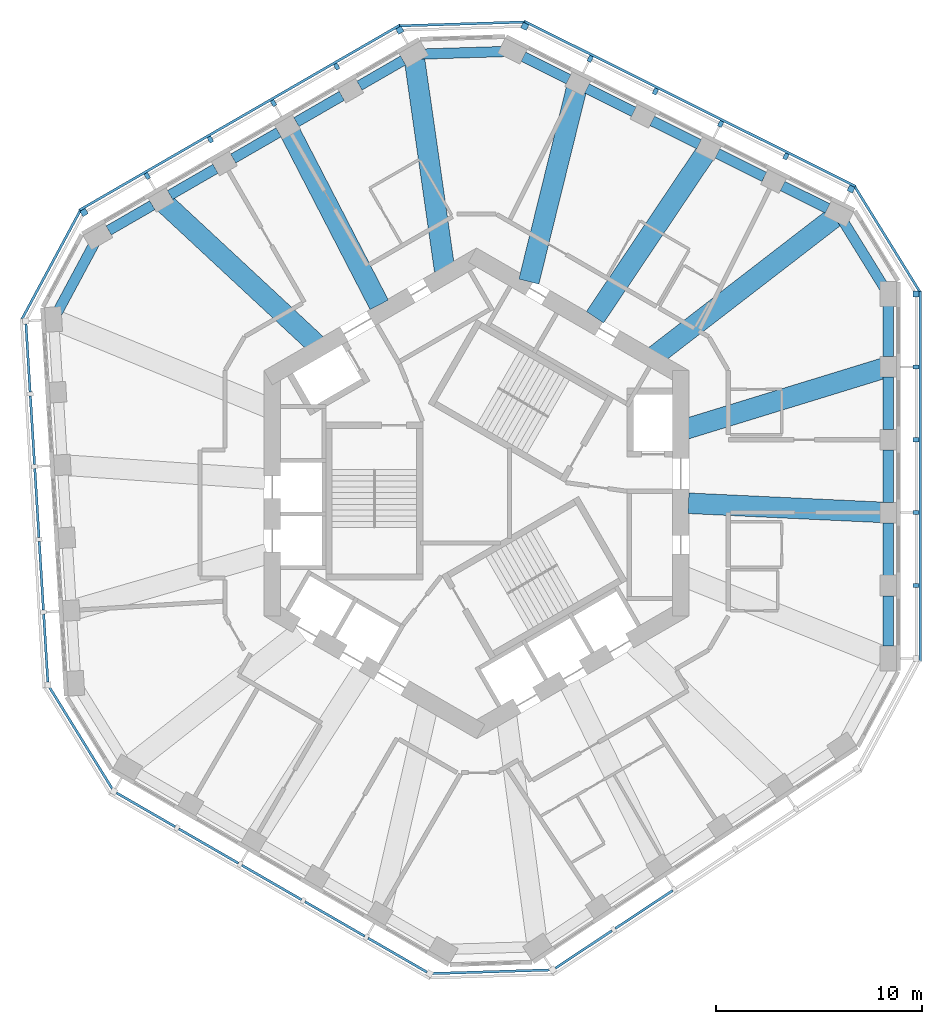
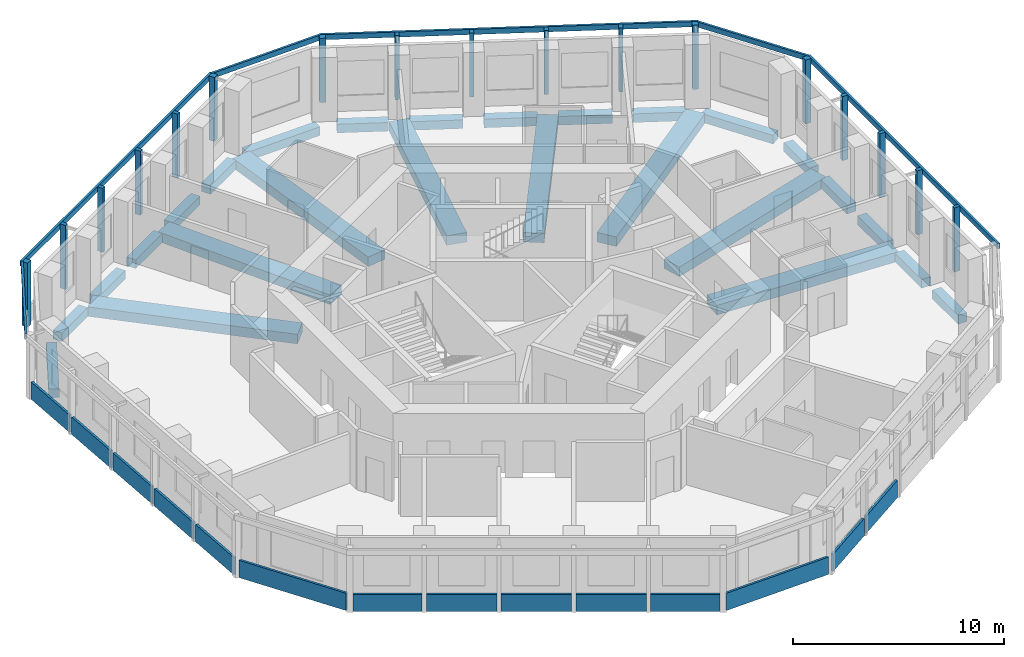
# One storey, part 2 of 11: 26 beams, 23 members, 14 plates, 11 elements without a shape of their own.
"""IFC4 building model written with IfcOpenShell, lengths in metres."""

from ifc_helpers import new_model, si_unit, direction, frame, origin, origin_2d, place, context, subcontext, project, spatial, rectangle, extrude, material, layer, layer_set, material_profile, profile_set, type_object, element, aggregate, save


model = new_model("IFC4")

# Units and contexts
model_context = context("Model", 3, precision=1e-05, world=origin(), true_north=direction((0.0, 1.0)))
body_context = subcontext(model_context, "Body", "Model", "MODEL_VIEW")
ifc_project = project(units=[si_unit("LENGTHUNIT", "METRE"), si_unit("AREAUNIT", "SQUARE_METRE"), si_unit("VOLUMEUNIT", "CUBIC_METRE"), si_unit("PLANEANGLEUNIT", "RADIAN"), si_unit("MASSUNIT", "GRAM", prefix="KILO")], contexts=[model_context])

# Site, building, storey
site_placement = place(None, origin())
site = spatial("IfcSite", under=ifc_project, at=site_placement, CompositionType="ELEMENT")
building_placement = place(site_placement, origin())
building = spatial("IfcBuilding", under=site, at=building_placement, Name="Vanh Sen Convention Tower", CompositionType="ELEMENT")
storey_placement = place(building_placement, frame((0.0, 0.0, 221.699951171875)))
storey = spatial("IfcBuildingStorey", under=building, at=storey_placement, Name="L54", CompositionType="ELEMENT", Elevation=221.699951171875)

# Curtain wall, member
ifc_material_1 = material(Name="Concrete C50/60", Category="concrete")
curtain_wall_type = type_object("IfcCurtainWallType", Name="Outer skin office zone", PredefinedType="NOTDEFINED", material=ifc_material_1)
curtain_wall_1_placement = place(storey_placement, origin())
curtain_wall_1 = element("IfcCurtainWall", 1, at=curtain_wall_1_placement, inside=storey, type_object=curtain_wall_type, Name="OUTER SKIN E L54", PredefinedType="NOTDEFINED")
ifc_material_profile_1 = material_profile(ifc_material_1, rectangle(XDim=0.300048828125, YDim=0.300048828125, at=origin_2d()), Name="Outer skin precast corner fin 300 x 300")
ifc_profile_set_1 = profile_set([ifc_material_profile_1], Name="Concrete C50/60")
member_type_1 = type_object("IfcMemberType", Name="Outer skin precast corner fin 300 x 300", PredefinedType="MULLION", material=ifc_profile_set_1)
member_1_placement = place(storey_placement, frame((21.300048828125, 9.665283203125, 0.0), z_axis=(0.0, 0.0, 1.0), x_axis=(0.0, 1.0, 0.0)))
member_1 = element("IfcMember", 2, at=member_1_placement, type_object=member_type_1, Name="OUTER SKIN CORNER FIN 6 E L54", PredefinedType="MULLION", context=body_context, shape_type="SweptSolid", body=[
    extrude(rectangle(XDim=0.300048828125, YDim=0.300048828125, at=origin_2d()), origin(), (0.0, 0.0, 1.0), 3.699951171875),
])

# Curtain wall, members
curtain_wall_2_placement = place(storey_placement, origin())
curtain_wall_2 = element("IfcCurtainWall", 3, at=curtain_wall_2_placement, inside=storey, type_object=curtain_wall_type, Name="OUTER SKIN NE L54", PredefinedType="NOTDEFINED")
member_2_placement = place(storey_placement, frame((18.15380859375, 14.74951171875, 0.0), z_axis=(0.0, 0.0, 1.0), x_axis=(-0.894934361602, 0.44619781311, 0.0)))
member_2 = element("IfcMember", 4, at=member_2_placement, type_object=member_type_1, Name="OUTER SKIN CORNER FIN 1 NE L54", PredefinedType="MULLION", context=body_context, shape_type="SweptSolid", body=[
    extrude(rectangle(XDim=0.300048828125, YDim=0.300048828125, at=origin_2d()), origin(), (0.0, 0.0, 1.0), 3.699951171875),
])
member_3_placement = place(storey_placement, frame((2.342041015625, 22.633056640625, 0.0), z_axis=(0.0, 0.0, 1.0), x_axis=(-0.894934361602, 0.44619781311, 0.0)))
member_3 = element("IfcMember", 5, at=member_3_placement, type_object=member_type_1, Name="OUTER SKIN CORNER FIN 6 NE L54", PredefinedType="MULLION", context=body_context, shape_type="SweptSolid", body=[
    extrude(rectangle(XDim=0.300048828125, YDim=0.300048828125, at=origin_2d()), origin(), (0.0, 0.0, 1.0), 3.699951171875),
])

curtain_wall_3_placement = place(storey_placement, origin())
curtain_wall_3 = element("IfcCurtainWall", 6, at=curtain_wall_3_placement, inside=storey, type_object=curtain_wall_type, Name="OUTER SKIN NW L54", PredefinedType="NOTDEFINED")
member_4_placement = place(storey_placement, frame((-3.719482421875, 22.44775390625, 0.0), z_axis=(0.0, 0.0, 1.0), x_axis=(-0.866025403784, -0.5, 0.0)))
member_4 = element("IfcMember", 7, at=member_4_placement, type_object=member_type_1, Name="OUTER SKIN CORNER FIN 1 NW L54", PredefinedType="MULLION", context=body_context, shape_type="SweptSolid", body=[
    extrude(rectangle(XDim=0.300048828125, YDim=0.300048828125, at=origin_2d()), origin(), (0.0, 0.0, 1.0), 3.699951171875),
])
member_5_placement = place(storey_placement, frame((-19.0205078125, 13.613525390625, 0.0), z_axis=(0.0, 0.0, 1.0), x_axis=(-0.866025403784, -0.5, 0.0)))
member_5 = element("IfcMember", 8, at=member_5_placement, type_object=member_type_1, Name="OUTER SKIN CORNER FIN 6 NW L54", PredefinedType="MULLION", context=body_context, shape_type="SweptSolid", body=[
    extrude(rectangle(XDim=0.300048828125, YDim=0.300048828125, at=origin_2d()), origin(), (0.0, 0.0, 1.0), 3.699951171875),
])

# Member
ifc_material_profile_2 = material_profile(ifc_material_1, rectangle(XDim=0.199951171875, YDim=0.300048828125, at=origin_2d()), Name="Outer skin precast fin 200 x 300")
ifc_profile_set_2 = profile_set([ifc_material_profile_2], Name="Concrete C50/60")
member_type_2 = type_object("IfcMemberType", Name="Outer skin precast fin 200 x 300", PredefinedType="MULLION", material=ifc_profile_set_2)
member_6_placement = place(storey_placement, frame((21.300048828125, -4.46923828125, 0.0), z_axis=(0.0, 0.0, 1.0), x_axis=(0.0, 1.0, 0.0)))
member_6 = element("IfcMember", 9, at=member_6_placement, type_object=member_type_2, Name="OUTER SKIN fin 2 E L54", PredefinedType="MULLION", context=body_context, shape_type="SweptSolid", body=[
    extrude(rectangle(XDim=0.199951171875, YDim=0.300048828125, at=origin_2d()), origin(), (0.0, 0.0, 1.0), 3.699951171875),
])

member_7_placement = place(storey_placement, frame((21.300048828125, -0.935546875, 0.0), z_axis=(0.0, 0.0, 1.0), x_axis=(0.0, 1.0, 0.0)))
member_7 = element("IfcMember", 10, at=member_7_placement, type_object=member_type_2, Name="OUTER SKIN fin 3 E L54", PredefinedType="MULLION", context=body_context, shape_type="SweptSolid", body=[
    extrude(rectangle(XDim=0.199951171875, YDim=0.300048828125, at=origin_2d()), origin(), (0.0, 0.0, 1.0), 3.699951171875),
])

member_8_placement = place(storey_placement, frame((21.300048828125, 2.59814453125, 0.0), z_axis=(0.0, 0.0, 1.0), x_axis=(0.0, 1.0, 0.0)))
member_8 = element("IfcMember", 11, at=member_8_placement, type_object=member_type_2, Name="OUTER SKIN fin 4 E L54", PredefinedType="MULLION", context=body_context, shape_type="SweptSolid", body=[
    extrude(rectangle(XDim=0.199951171875, YDim=0.300048828125, at=origin_2d()), origin(), (0.0, 0.0, 1.0), 3.699951171875),
])

member_9_placement = place(storey_placement, frame((21.300048828125, 6.131591796875, 0.0), z_axis=(0.0, 0.0, 1.0), x_axis=(0.0, 1.0, 0.0)))
member_9 = element("IfcMember", 12, at=member_9_placement, type_object=member_type_2, Name="OUTER SKIN fin 5 E L54", PredefinedType="MULLION", context=body_context, shape_type="SweptSolid", body=[
    extrude(rectangle(XDim=0.199951171875, YDim=0.300048828125, at=origin_2d()), origin(), (0.0, 0.0, 1.0), 3.699951171875),
])

member_10_placement = place(storey_placement, frame((14.99169921875, 16.326171875, 0.0), z_axis=(0.0, 0.0, 1.0), x_axis=(-0.894934361602, 0.44619781311, 0.0)))
member_10 = element("IfcMember", 13, at=member_10_placement, type_object=member_type_2, Name="OUTER SKIN fin 2 NE L54", PredefinedType="MULLION", context=body_context, shape_type="SweptSolid", body=[
    extrude(rectangle(XDim=0.199951171875, YDim=0.300048828125, at=origin_2d()), origin(), (0.0, 0.0, 1.0), 3.699951171875),
])

member_11_placement = place(storey_placement, frame((11.8291015625, 17.90283203125, 0.0), z_axis=(0.0, 0.0, 1.0), x_axis=(-0.894934361602, 0.44619781311, 0.0)))
member_11 = element("IfcMember", 14, at=member_11_placement, type_object=member_type_2, Name="OUTER SKIN fin 3 NE L54", PredefinedType="MULLION", context=body_context, shape_type="SweptSolid", body=[
    extrude(rectangle(XDim=0.199951171875, YDim=0.300048828125, at=origin_2d()), origin(), (0.0, 0.0, 1.0), 3.699951171875),
])

member_12_placement = place(storey_placement, frame((8.666748046875, 19.4794921875, 0.0), z_axis=(0.0, 0.0, 1.0), x_axis=(-0.894934361602, 0.44619781311, 0.0)))
member_12 = element("IfcMember", 15, at=member_12_placement, type_object=member_type_2, Name="OUTER SKIN fin 4 NE L54", PredefinedType="MULLION", context=body_context, shape_type="SweptSolid", body=[
    extrude(rectangle(XDim=0.199951171875, YDim=0.300048828125, at=origin_2d()), origin(), (0.0, 0.0, 1.0), 3.699951171875),
])

member_13_placement = place(storey_placement, frame((5.50439453125, 21.056396484375, 0.0), z_axis=(0.0, 0.0, 1.0), x_axis=(-0.894934361602, 0.44619781311, 0.0)))
member_13 = element("IfcMember", 16, at=member_13_placement, type_object=member_type_2, Name="OUTER SKIN fin 5 NE L54", PredefinedType="MULLION", context=body_context, shape_type="SweptSolid", body=[
    extrude(rectangle(XDim=0.199951171875, YDim=0.300048828125, at=origin_2d()), origin(), (0.0, 0.0, 1.0), 3.699951171875),
])

member_14_placement = place(storey_placement, frame((-6.779541015625, 20.680908203125, 0.0), z_axis=(0.0, 0.0, 1.0), x_axis=(-0.866025403784, -0.5, 0.0)))
member_14 = element("IfcMember", 17, at=member_14_placement, type_object=member_type_2, Name="OUTER SKIN fin 2 NW L54", PredefinedType="MULLION", context=body_context, shape_type="SweptSolid", body=[
    extrude(rectangle(XDim=0.199951171875, YDim=0.300048828125, at=origin_2d()), origin(), (0.0, 0.0, 1.0), 3.699951171875),
])

member_15_placement = place(storey_placement, frame((-9.83984375, 18.9140625, 0.0), z_axis=(0.0, 0.0, 1.0), x_axis=(-0.866025403784, -0.5, 0.0)))
member_15 = element("IfcMember", 18, at=member_15_placement, type_object=member_type_2, Name="OUTER SKIN fin 3 NW L54", PredefinedType="MULLION", context=body_context, shape_type="SweptSolid", body=[
    extrude(rectangle(XDim=0.199951171875, YDim=0.300048828125, at=origin_2d()), origin(), (0.0, 0.0, 1.0), 3.699951171875),
])

member_16_placement = place(storey_placement, frame((-12.89990234375, 17.147216796875, 0.0), z_axis=(0.0, 0.0, 1.0), x_axis=(-0.866025403784, -0.5, 0.0)))
member_16 = element("IfcMember", 19, at=member_16_placement, type_object=member_type_2, Name="OUTER SKIN fin 4 NW L54", PredefinedType="MULLION", context=body_context, shape_type="SweptSolid", body=[
    extrude(rectangle(XDim=0.199951171875, YDim=0.300048828125, at=origin_2d()), origin(), (0.0, 0.0, 1.0), 3.699951171875),
])

member_17_placement = place(storey_placement, frame((-15.960205078125, 15.38037109375, 0.0), z_axis=(0.0, 0.0, 1.0), x_axis=(-0.866025403784, -0.5, 0.0)))
member_17 = element("IfcMember", 20, at=member_17_placement, type_object=member_type_2, Name="OUTER SKIN fin 5 NW L54", PredefinedType="MULLION", context=body_context, shape_type="SweptSolid", body=[
    extrude(rectangle(XDim=0.199951171875, YDim=0.300048828125, at=origin_2d()), origin(), (0.0, 0.0, 1.0), 3.699951171875),
])

ifc_material_profile_3 = material_profile(ifc_material_1, rectangle(XDim=0.1201171875, YDim=0.300048828125, at=origin_2d()), Name="Outer skin precast spandrel band 300 x 120")
ifc_profile_set_3 = profile_set([ifc_material_profile_3], Name="Concrete C50/60")
member_type_3 = type_object("IfcMemberType", Name="Outer skin precast spandrel band 300 x 120", PredefinedType="USERDEFINED", material=ifc_profile_set_3)
member_18_placement = place(storey_placement, frame((21.510009765625, -8.15283203125, 3.550048828125), z_axis=(0.0, 1.0, 0.0), x_axis=(-1.0, 0.0, 0.0)))
member_18 = element("IfcMember", 21, at=member_18_placement, type_object=member_type_3, Name="OUTER SKIN spandrel band E L54", ObjectType="TRANSOM", PredefinedType="USERDEFINED", context=body_context, shape_type="SweptSolid", body=[
    extrude(rectangle(XDim=0.1201171875, YDim=0.300048828125, at=origin_2d()), origin(), (0.0, 0.0, 1.0), 17.96826171875),
])

aggregate(curtain_wall_1, [member_6, member_7, member_8, member_9, member_1, member_18])

# Curtain wall, member
curtain_wall_4_placement = place(storey_placement, origin())
curtain_wall_4 = element("IfcCurtainWall", 22, at=curtain_wall_4_placement, inside=storey, type_object=curtain_wall_type, Name="OUTER SKIN CH1 L54", PredefinedType="NOTDEFINED")
member_19_placement = place(storey_placement, frame((21.478515625, 9.77587890625, 3.550048828125), z_axis=(-0.526187318786, 0.850368688011, 0.0), x_axis=(-0.850368688011, -0.526187318786, 0.0)))
member_19 = element("IfcMember", 23, at=member_19_placement, type_object=member_type_3, Name="OUTER SKIN spandrel band CH1 L54", ObjectType="TRANSOM", PredefinedType="USERDEFINED", context=body_context, shape_type="SweptSolid", body=[
    extrude(rectangle(XDim=0.1201171875, YDim=0.300048828125, at=origin_2d()), origin(), (0.0, 0.0, 1.0), 5.978759765625),
])
aggregate(curtain_wall_4, [member_19])

# Member
member_20_placement = place(storey_placement, frame((18.3818359375, 14.87060546875, 3.550048828125), z_axis=(-0.894940208367, 0.446186086121, 0.0), x_axis=(-0.446186086121, -0.894940208367, 0.0)))
member_20 = element("IfcMember", 24, at=member_20_placement, type_object=member_type_3, Name="OUTER SKIN spandrel band NE L54", ObjectType="TRANSOM", PredefinedType="USERDEFINED", context=body_context, shape_type="SweptSolid", body=[
    extrude(rectangle(XDim=0.1201171875, YDim=0.300048828125, at=origin_2d()), origin(), (0.0, 0.0, 1.0), 17.968017578125),
])

aggregate(curtain_wall_2, [member_2, member_10, member_11, member_12, member_13, member_3, member_20])

# Curtain wall, member
curtain_wall_5_placement = place(storey_placement, origin())
curtain_wall_5 = element("IfcCurtainWall", 25, at=curtain_wall_5_placement, inside=storey, type_object=curtain_wall_type, Name="OUTER SKIN CH2 L54", PredefinedType="NOTDEFINED")
member_21_placement = place(storey_placement, frame((2.335693359375, 22.843017578125, 3.550048828125), z_axis=(-0.999533054911, -0.030556049165, 0.0), x_axis=(0.030556049165, -0.999533054911, 0.0)))
member_21 = element("IfcMember", 26, at=member_21_placement, type_object=member_type_3, Name="OUTER SKIN spandrel band CH2 L54", ObjectType="TRANSOM", PredefinedType="USERDEFINED", context=body_context, shape_type="SweptSolid", body=[
    extrude(rectangle(XDim=0.1201171875, YDim=0.300048828125, at=origin_2d()), origin(), (0.0, 0.0, 1.0), 6.064453125),
])
aggregate(curtain_wall_5, [member_21])

# Member
member_22_placement = place(storey_placement, frame((-3.694580078125, 22.70458984375, 3.550048828125), z_axis=(-0.866022898019, -0.500004340088, 0.0), x_axis=(0.500004340088, -0.866022898019, 0.0)))
member_22 = element("IfcMember", 27, at=member_22_placement, type_object=member_type_3, Name="OUTER SKIN spandrel band NW L54", ObjectType="TRANSOM", PredefinedType="USERDEFINED", context=body_context, shape_type="SweptSolid", body=[
    extrude(rectangle(XDim=0.1201171875, YDim=0.300048828125, at=origin_2d()), origin(), (0.0, 0.0, 1.0), 17.968017578125),
])

aggregate(curtain_wall_3, [member_4, member_14, member_15, member_16, member_17, member_5, member_22])

# Curtain wall, member
curtain_wall_6_placement = place(storey_placement, origin())
curtain_wall_6 = element("IfcCurtainWall", 28, at=curtain_wall_6_placement, inside=storey, type_object=curtain_wall_type, Name="OUTER SKIN CH3 L54", PredefinedType="NOTDEFINED")
member_23_placement = place(storey_placement, frame((-19.20556640625, 13.712890625, 3.550048828125), z_axis=(-0.473317965247, -0.880891652688, 0.0), x_axis=(0.880891652688, -0.473317965247, 0.0)))
member_23 = element("IfcMember", 29, at=member_23_placement, type_object=member_type_3, Name="OUTER SKIN spandrel band CH3 L54", ObjectType="TRANSOM", PredefinedType="USERDEFINED", context=body_context, shape_type="SweptSolid", body=[
    extrude(rectangle(XDim=0.1201171875, YDim=0.300048828125, at=origin_2d()), origin(), (0.0, 0.0, 1.0), 5.978759765625),
])
aggregate(curtain_wall_6, [member_23])

# Beams
ifc_material_2 = material(Name="Concrete C50/60", Category="concrete")
ifc_material_profile_4 = material_profile(ifc_material_2, rectangle(XDim=1.0, YDim=0.550048828125, at=origin_2d()), Name="RC 1000X550")
ifc_profile_set_4 = profile_set([ifc_material_profile_4], Name="Concrete C50/60")
beam_type_1 = type_object("IfcBeamType", Name="Radial floor beam 1000 x 550", PredefinedType="BEAM", material=ifc_profile_set_4)
beam_1_placement = place(storey_placement, frame((19.943359375, -0.935302734375, -0.554931640625), z_axis=(-0.998901994709, 0.046848745612, 0.0), x_axis=(-0.046848745612, -0.998901994709, 0.0)))
element("IfcBeam", 30, at=beam_1_placement, inside=storey, type_object=beam_type_1, Name="Radial beam 02 L54", PredefinedType="BEAM", context=body_context, shape_type="SweptSolid", body=[
    extrude(rectangle(XDim=1.0, YDim=0.550048828125, at=origin_2d()), origin(), (0.0, 0.0, 1.0), 9.6826171875),
])
beam_2_placement = place(storey_placement, frame((19.883056640625, 6.111083984375, -0.554931640625), z_axis=(-0.955872776135, -0.293780931723, 0.0), x_axis=(0.293780931723, -0.955872776135, 0.0)))
element("IfcBeam", 31, at=beam_2_placement, inside=storey, type_object=beam_type_1, Name="Radial beam 03 L54", PredefinedType="BEAM", context=body_context, shape_type="SweptSolid", body=[
    extrude(rectangle(XDim=1.0, YDim=0.550048828125, at=origin_2d()), origin(), (0.0, 0.0, 1.0), 10.184326171875),
])
beam_3_placement = place(storey_placement, frame((17.395263671875, 13.4208984375, -0.554931640625), z_axis=(-0.791739798035, -0.610858487874, 0.0), x_axis=(0.610858487874, -0.791739798035, 0.0)))
element("IfcBeam", 32, at=beam_3_placement, inside=storey, type_object=beam_type_1, Name="Radial beam 04 L54", PredefinedType="BEAM", context=body_context, shape_type="SweptSolid", body=[
    extrude(rectangle(XDim=1.0, YDim=0.550048828125, at=origin_2d()), origin(), (0.0, 0.0, 1.0), 11.044921875),
])
beam_4_placement = place(storey_placement, frame((11.21142578125, 16.672119140625, -0.554931640625), z_axis=(-0.558028035839, -0.829822096125, 0.0), x_axis=(0.829822096125, -0.558028035839, 0.0)))
element("IfcBeam", 33, at=beam_4_placement, inside=storey, type_object=beam_type_1, Name="Radial beam 05 L54", PredefinedType="BEAM", context=body_context, shape_type="SweptSolid", body=[
    extrude(rectangle(XDim=1.0, YDim=0.550048828125, at=origin_2d()), origin(), (0.0, 0.0, 1.0), 9.80615234375),
])
beam_5_placement = place(storey_placement, frame((4.889892578125, 19.79931640625, -0.554931640625), z_axis=(-0.239768228696, -0.970830158425, 0.0), x_axis=(0.970830158425, -0.239768228696, 0.0)))
element("IfcBeam", 34, at=beam_5_placement, inside=storey, type_object=beam_type_1, Name="Radial beam 06 L54", PredefinedType="BEAM", context=body_context, shape_type="SweptSolid", body=[
    extrude(rectangle(XDim=1.0, YDim=0.550048828125, at=origin_2d()), origin(), (0.0, 0.0, 1.0), 9.822021484375),
])
beam_6_placement = place(storey_placement, frame((-3.012451171875, 21.055419921875, -0.554931640625), z_axis=(0.141625557521, -0.989920300558, 0.0), x_axis=(0.989920300558, 0.141625557521, 0.0)))
element("IfcBeam", 35, at=beam_6_placement, inside=storey, type_object=beam_type_1, Name="Radial beam 07 L54", PredefinedType="BEAM", context=body_context, shape_type="SweptSolid", body=[
    extrude(rectangle(XDim=1.0, YDim=0.550048828125, at=origin_2d()), origin(), (0.0, 0.0, 1.0), 10.37744140625),
])
beam_7_placement = place(storey_placement, frame((-9.161865234375, 17.7392578125, -0.554931640625), z_axis=(0.458894668363, -0.888490677131, 0.0), x_axis=(0.888490677131, 0.458894668363, 0.0)))
element("IfcBeam", 36, at=beam_7_placement, inside=storey, type_object=beam_type_1, Name="Radial beam 08 L54", PredefinedType="BEAM", context=body_context, shape_type="SweptSolid", body=[
    extrude(rectangle(XDim=1.0, YDim=0.550048828125, at=origin_2d()), origin(), (0.0, 0.0, 1.0), 9.682861328125),
])
beam_8_placement = place(storey_placement, frame((-15.23388671875, 14.16357421875, -0.554931640625), z_axis=(0.732361312651, -0.680916226662, 0.0), x_axis=(0.680916226662, 0.732361312651, 0.0)))
element("IfcBeam", 37, at=beam_8_placement, inside=storey, type_object=beam_type_1, Name="Radial beam 09 L54", PredefinedType="BEAM", context=body_context, shape_type="SweptSolid", body=[
    extrude(rectangle(XDim=1.0, YDim=0.550048828125, at=origin_2d()), origin(), (0.0, 0.0, 1.0), 10.18408203125),
])
ifc_material_profile_5 = material_profile(ifc_material_2, rectangle(XDim=0.5, YDim=0.5, at=origin_2d()), Name="RC 500X500")
ifc_profile_set_5 = profile_set([ifc_material_profile_5], Name="Concrete C50/60")
beam_type_2 = type_object("IfcBeamType", Name="Spandrel beam 500 x 500", PredefinedType="SPANDREL", material=ifc_profile_set_5)
beam_9_placement = place(storey_placement, frame((19.949951171875, -7.40771484375, -0.530029296875), z_axis=(0.0, 1.0, 0.0), x_axis=(-1.0, 0.0, 0.0)))
element("IfcBeam", 38, at=beam_9_placement, inside=storey, type_object=beam_type_2, Name="Spandrel beam 01 L54", PredefinedType="SPANDREL", context=body_context, shape_type="SweptSolid", body=[
    extrude(rectangle(XDim=0.5, YDim=0.5, at=origin_2d()), origin(), (0.0, 0.0, 1.0), 2.443603515625),
])
beam_10_placement = place(storey_placement, frame((19.949951171875, -3.97412109375, -0.530029296875), z_axis=(0.0, 1.0, 0.0), x_axis=(-1.0, 0.0, 0.0)))
element("IfcBeam", 39, at=beam_10_placement, inside=storey, type_object=beam_type_2, Name="Spandrel beam 02 L54", PredefinedType="SPANDREL", context=body_context, shape_type="SweptSolid", body=[
    extrude(rectangle(XDim=0.5, YDim=0.5, at=origin_2d()), origin(), (0.0, 0.0, 1.0), 2.543701171875),
])
beam_11_placement = place(storey_placement, frame((19.949951171875, -0.4404296875, -0.530029296875), z_axis=(0.0, 1.0, 0.0), x_axis=(-1.0, 0.0, 0.0)))
element("IfcBeam", 40, at=beam_11_placement, inside=storey, type_object=beam_type_2, Name="Spandrel beam 03 L54", PredefinedType="SPANDREL", context=body_context, shape_type="SweptSolid", body=[
    extrude(rectangle(XDim=0.5, YDim=0.5, at=origin_2d()), origin(), (0.0, 0.0, 1.0), 2.54345703125),
])
beam_12_placement = place(storey_placement, frame((19.949951171875, 3.093017578125, -0.530029296875), z_axis=(0.0, 1.0, 0.0), x_axis=(-1.0, 0.0, 0.0)))
element("IfcBeam", 41, at=beam_12_placement, inside=storey, type_object=beam_type_2, Name="Spandrel beam 04 L54", PredefinedType="SPANDREL", context=body_context, shape_type="SweptSolid", body=[
    extrude(rectangle(XDim=0.5, YDim=0.5, at=origin_2d()), origin(), (0.0, 0.0, 1.0), 2.543701171875),
])
beam_13_placement = place(storey_placement, frame((19.949951171875, 6.626708984375, -0.530029296875), z_axis=(0.0, 1.0, 0.0), x_axis=(-1.0, 0.0, 0.0)))
element("IfcBeam", 42, at=beam_13_placement, inside=storey, type_object=beam_type_2, Name="Spandrel beam 05 L54", PredefinedType="SPANDREL", context=body_context, shape_type="SweptSolid", body=[
    extrude(rectangle(XDim=0.5, YDim=0.5, at=origin_2d()), origin(), (0.0, 0.0, 1.0), 2.443603515625),
])
beam_14_placement = place(storey_placement, frame((19.76513671875, 9.964111328125, -0.530029296875), z_axis=(-0.526208550267, 0.850355550124, 0.0), x_axis=(-0.850355550124, -0.526208550267, 0.0)))
element("IfcBeam", 43, at=beam_14_placement, inside=storey, type_object=beam_type_2, Name="Spandrel beam 06 L54", PredefinedType="SPANDREL", context=body_context, shape_type="SweptSolid", body=[
    extrude(rectangle(XDim=0.5, YDim=0.5, at=origin_2d()), origin(), (0.0, 0.0, 1.0), 3.85546875),
])
beam_15_placement = place(storey_placement, frame((17.01904296875, 13.806884765625, -0.530029296875), z_axis=(-0.894926200996, 0.446214180378, 0.0), x_axis=(-0.446214180378, -0.894926200996, 0.0)))
element("IfcBeam", 44, at=beam_15_placement, inside=storey, type_object=beam_type_2, Name="Spandrel beam 07 L54", PredefinedType="SPANDREL", context=body_context, shape_type="SweptSolid", body=[
    extrude(rectangle(XDim=0.5, YDim=0.5, at=origin_2d()), origin(), (0.0, 0.0, 1.0), 2.443603515625),
])
for number, where, z_axis, x_axis, name in (
    (45, (13.9462890625, 15.3388671875, -0.530029296875), (-0.894925734573, 0.446215115834, 0.0), (-0.446215115834, -0.894925734573, 0.0), "Spandrel beam 08 L54"),
    (46, (10.78369140625, 16.91552734375, -0.530029296875), (-0.894925734573, 0.446215115834, 0.0), (-0.446215115834, -0.894925734573, 0.0), "Spandrel beam 09 L54"),
    (47, (7.621337890625, 18.4921875, -0.530029296875), (-0.894925734573, 0.446215115834, 0.0), (-0.446215115834, -0.894925734573, 0.0), "Spandrel beam 10 L54"),
):
    element("IfcBeam", number, at=place(storey_placement, frame(where, z_axis=z_axis, x_axis=x_axis)), inside=storey, type_object=beam_type_2, Name=name, PredefinedType="SPANDREL", context=body_context, shape_type="SweptSolid", body=[
        extrude(rectangle(XDim=0.5, YDim=0.5, at=origin_2d()), origin(), (0.0, 0.0, 1.0), 2.543701171875),
    ])
beam_16_placement = place(storey_placement, frame((4.458984375, 20.069091796875, -0.530029296875), z_axis=(-0.894966097575, 0.446134154926, 0.0), x_axis=(-0.446134154926, -0.894966097575, 0.0)))
element("IfcBeam", 48, at=beam_16_placement, inside=storey, type_object=beam_type_2, Name="Spandrel beam 11 L54", PredefinedType="SPANDREL", context=body_context, shape_type="SweptSolid", body=[
    extrude(rectangle(XDim=0.5, YDim=0.5, at=origin_2d()), origin(), (0.0, 0.0, 1.0), 2.443359375),
])
beam_17_placement = place(storey_placement, frame((1.364990234375, 21.413330078125, -0.530029296875), z_axis=(-0.999533490256, -0.030541805081, 0.0), x_axis=(0.030541805081, -0.999533490256, 0.0)))
element("IfcBeam", 49, at=beam_17_placement, inside=storey, type_object=beam_type_2, Name="Spandrel beam 12 L54", PredefinedType="SPANDREL", context=body_context, shape_type="SweptSolid", body=[
    extrude(rectangle(XDim=0.5, YDim=0.5, at=origin_2d()), origin(), (0.0, 0.0, 1.0), 4.036865234375),
])
beam_18_placement = place(storey_placement, frame((-3.559814453125, 20.981201171875, -0.530029296875), z_axis=(-0.865977582417, -0.500082819891, 0.0), x_axis=(0.500082819891, -0.865977582417, 0.0)))
element("IfcBeam", 50, at=beam_18_placement, inside=storey, type_object=beam_type_2, Name="Spandrel beam 13 L54", PredefinedType="SPANDREL", context=body_context, shape_type="SweptSolid", body=[
    extrude(rectangle(XDim=0.5, YDim=0.5, at=origin_2d()), origin(), (0.0, 0.0, 1.0), 2.443359375),
])
for number, where, z_axis, x_axis, name in (
    (51, (-6.533203125, 19.264404296875, -0.530029296875), (-0.866001775466, -0.500040923216, 0.0), (0.500040923216, -0.866001775466, 0.0), "Spandrel beam 14 L54"),
    (52, (-9.593505859375, 17.49755859375, -0.530029296875), (-0.866001775466, -0.500040923216, 0.0), (0.500040923216, -0.866001775466, 0.0), "Spandrel beam 15 L54"),
):
    element("IfcBeam", number, at=place(storey_placement, frame(where, z_axis=z_axis, x_axis=x_axis)), inside=storey, type_object=beam_type_2, Name=name, PredefinedType="SPANDREL", context=body_context, shape_type="SweptSolid", body=[
        extrude(rectangle(XDim=0.5, YDim=0.5, at=origin_2d()), origin(), (0.0, 0.0, 1.0), 2.543701171875),
    ])
beam_19_placement = place(storey_placement, frame((-12.65380859375, 15.730712890625, -0.530029296875), z_axis=(-0.865977774259, -0.500082487685, 0.0), x_axis=(0.500082487685, -0.865977774259, 0.0)))
element("IfcBeam", 53, at=beam_19_placement, inside=storey, type_object=beam_type_2, Name="Spandrel beam 16 L54", PredefinedType="SPANDREL", context=body_context, shape_type="SweptSolid", body=[
    extrude(rectangle(XDim=0.5, YDim=0.5, at=origin_2d()), origin(), (0.0, 0.0, 1.0), 2.54345703125),
])
beam_20_placement = place(storey_placement, frame((-15.7138671875, 13.9638671875, -0.530029296875), z_axis=(-0.866002566612, -0.500039553057, 0.0), x_axis=(0.500039553057, -0.866002566612, 0.0)))
element("IfcBeam", 54, at=beam_20_placement, inside=storey, type_object=beam_type_2, Name="Spandrel beam 17 L54", PredefinedType="SPANDREL", context=body_context, shape_type="SweptSolid", body=[
    extrude(rectangle(XDim=0.5, YDim=0.5, at=origin_2d()), origin(), (0.0, 0.0, 1.0), 2.443603515625),
])
beam_21_placement = place(storey_placement, frame((-18.51171875, 12.13525390625, -0.530029296875), z_axis=(-0.473310467163, -0.880895681494, 0.0), x_axis=(0.880895681494, -0.473310467163, 0.0)))
element("IfcBeam", 55, at=beam_21_placement, inside=storey, type_object=beam_type_2, Name="Spandrel beam 18 L54", PredefinedType="SPANDREL", context=body_context, shape_type="SweptSolid", body=[
    extrude(rectangle(XDim=0.5, YDim=0.5, at=origin_2d()), origin(), (0.0, 0.0, 1.0), 3.855712890625),
])

# Curtain wall, plates
curtain_wall_7_placement = place(storey_placement, origin())
curtain_wall_7 = element("IfcCurtainWall", 56, at=curtain_wall_7_placement, inside=storey, type_object=curtain_wall_type, Name="OUTER SKIN W L54", PredefinedType="NOTDEFINED")
ifc_layer = layer(ifc_material_1, 0.1201171875)
ifc_layer_set = layer_set([ifc_layer], Name="Concrete C50/60")
plate_type = type_object("IfcPlateType", Name="Outer skin precast screen panel 120", PredefinedType="CURTAIN_PANEL", material=ifc_layer_set)
plate_1_placement = place(storey_placement, frame((-21.740966796875, 6.55859375, 0.0), z_axis=(0.0, 0.0, 1.0), x_axis=(0.061043313312, -0.998135118058, 0.0)))
plate_1 = element("IfcPlate", 57, at=plate_1_placement, type_object=plate_type, Name="OUTER SKIN screen panel W-1", PredefinedType="CURTAIN_PANEL", context=body_context, shape_type="SweptSolid", body=[
    extrude(rectangle(XDim=3.28369140625, YDim=0.1201171875, at=origin_2d()), origin(), (0.0, 0.0, 1.0), 1.0),
])
plate_2_placement = place(storey_placement, frame((-21.526611328125, 3.056396484375, 0.0), z_axis=(0.0, 0.0, 1.0), x_axis=(0.061041571238, -0.998135224597, 0.0)))
plate_2 = element("IfcPlate", 58, at=plate_2_placement, type_object=plate_type, Name="OUTER SKIN screen panel W-2", PredefinedType="CURTAIN_PANEL", context=body_context, shape_type="SweptSolid", body=[
    extrude(rectangle(XDim=3.333740234375, YDim=0.1201171875, at=origin_2d()), origin(), (0.0, 0.0, 1.0), 1.0),
])
plate_3_placement = place(storey_placement, frame((-21.31103515625, -0.470703125, 0.0), z_axis=(0.0, 0.0, 1.0), x_axis=(0.061043313312, -0.998135118058, 0.0)))
plate_3 = element("IfcPlate", 59, at=plate_3_placement, type_object=plate_type, Name="OUTER SKIN screen panel W-3", PredefinedType="CURTAIN_PANEL", context=body_context, shape_type="SweptSolid", body=[
    extrude(rectangle(XDim=3.33349609375, YDim=0.1201171875, at=origin_2d()), origin(), (0.0, 0.0, 1.0), 1.0),
])
plate_4_placement = place(storey_placement, frame((-21.09521484375, -3.99755859375, 0.0), z_axis=(0.0, 0.0, 1.0), x_axis=(0.061043313312, -0.998135118058, 0.0)))
plate_4 = element("IfcPlate", 60, at=plate_4_placement, type_object=plate_type, Name="OUTER SKIN screen panel W-4", PredefinedType="CURTAIN_PANEL", context=body_context, shape_type="SweptSolid", body=[
    extrude(rectangle(XDim=3.33349609375, YDim=0.1201171875, at=origin_2d()), origin(), (0.0, 0.0, 1.0), 1.0),
])
plate_5_placement = place(storey_placement, frame((-20.881103515625, -7.499755859375, 0.0), z_axis=(0.0, 0.0, 1.0), x_axis=(0.061069444408, -0.998133519605, 0.0)))
plate_5 = element("IfcPlate", 61, at=plate_5_placement, type_object=plate_type, Name="OUTER SKIN screen panel W-5", PredefinedType="CURTAIN_PANEL", context=body_context, shape_type="SweptSolid", body=[
    extrude(rectangle(XDim=3.28369140625, YDim=0.1201171875, at=origin_2d()), origin(), (0.0, 0.0, 1.0), 1.0),
])
aggregate(curtain_wall_7, [plate_1, plate_2, plate_3, plate_4, plate_5])

# Curtain wall, plate
curtain_wall_8_placement = place(storey_placement, origin())
curtain_wall_8 = element("IfcCurtainWall", 62, at=curtain_wall_8_placement, inside=storey, type_object=curtain_wall_type, Name="OUTER SKIN CH4 L54", PredefinedType="NOTDEFINED")
plate_6_placement = place(storey_placement, frame((-19.176025390625, -11.86669921875, 0.0), z_axis=(0.0, 0.0, 1.0), x_axis=(0.526215407796, -0.850351306578, 0.0)))
plate_6 = element("IfcPlate", 63, at=plate_6_placement, type_object=plate_type, Name="OUTER SKIN screen panel CH4-1", PredefinedType="CURTAIN_PANEL", context=body_context, shape_type="SweptSolid", body=[
    extrude(rectangle(XDim=5.76416015625, YDim=0.1201171875, at=origin_2d()), origin(), (0.0, 0.0, 1.0), 1.0),
])
aggregate(curtain_wall_8, [plate_6])

# Curtain wall, plates
curtain_wall_9_placement = place(storey_placement, origin())
curtain_wall_9 = element("IfcCurtainWall", 64, at=curtain_wall_9_placement, inside=storey, type_object=curtain_wall_type, Name="OUTER SKIN SW L54", PredefinedType="NOTDEFINED")
plate_7_placement = place(storey_placement, frame((-16.02880859375, -15.3408203125, 0.0), z_axis=(0.0, 0.0, 1.0), x_axis=(0.866026276448, -0.4999984885, 0.0)))
plate_7 = element("IfcPlate", 65, at=plate_7_placement, type_object=plate_type, Name="OUTER SKIN screen panel SW-1", PredefinedType="CURTAIN_PANEL", context=body_context, shape_type="SweptSolid", body=[
    extrude(rectangle(XDim=3.28369140625, YDim=0.1201171875, at=origin_2d()), origin(), (0.0, 0.0, 1.0), 1.0),
])
plate_8_placement = place(storey_placement, frame((-12.990234375, -17.09521484375, 0.0), z_axis=(0.0, 0.0, 1.0), x_axis=(0.866026276448, -0.4999984885, 0.0)))
plate_8 = element("IfcPlate", 66, at=plate_8_placement, type_object=plate_type, Name="OUTER SKIN screen panel SW-2", PredefinedType="CURTAIN_PANEL", context=body_context, shape_type="SweptSolid", body=[
    extrude(rectangle(XDim=3.33349609375, YDim=0.1201171875, at=origin_2d()), origin(), (0.0, 0.0, 1.0), 1.0),
])
plate_9_placement = place(storey_placement, frame((-9.93017578125, -18.862060546875, 0.0), z_axis=(0.0, 0.0, 1.0), x_axis=(0.866014058921, -0.500019649364, 0.0)))
plate_9 = element("IfcPlate", 67, at=plate_9_placement, type_object=plate_type, Name="OUTER SKIN screen panel SW-3", PredefinedType="CURTAIN_PANEL", context=body_context, shape_type="SweptSolid", body=[
    extrude(rectangle(XDim=3.333740234375, YDim=0.1201171875, at=origin_2d()), origin(), (0.0, 0.0, 1.0), 1.0),
])
plate_10_placement = place(storey_placement, frame((-6.869873046875, -20.62890625, 0.0), z_axis=(0.0, 0.0, 1.0), x_axis=(0.866026276448, -0.4999984885, 0.0)))
plate_10 = element("IfcPlate", 68, at=plate_10_placement, type_object=plate_type, Name="OUTER SKIN screen panel SW-4", PredefinedType="CURTAIN_PANEL", context=body_context, shape_type="SweptSolid", body=[
    extrude(rectangle(XDim=3.33349609375, YDim=0.1201171875, at=origin_2d()), origin(), (0.0, 0.0, 1.0), 1.0),
])
plate_11_placement = place(storey_placement, frame((-3.831298828125, -22.383056640625, 0.0), z_axis=(0.0, 0.0, 1.0), x_axis=(0.866033257659, -0.499986396443, 0.0)))
plate_11 = element("IfcPlate", 69, at=plate_11_placement, type_object=plate_type, Name="OUTER SKIN screen panel SW-5", PredefinedType="CURTAIN_PANEL", context=body_context, shape_type="SweptSolid", body=[
    extrude(rectangle(XDim=3.28369140625, YDim=0.1201171875, at=origin_2d()), origin(), (0.0, 0.0, 1.0), 1.0),
])
aggregate(curtain_wall_9, [plate_7, plate_8, plate_9, plate_10, plate_11])

# Curtain wall, plate
curtain_wall_10_placement = place(storey_placement, origin())
curtain_wall_10 = element("IfcCurtainWall", 70, at=curtain_wall_10_placement, inside=storey, type_object=curtain_wall_type, Name="OUTER SKIN CH5 L54", PredefinedType="NOTDEFINED")
plate_12_placement = place(storey_placement, frame((0.70849609375, -23.187744140625, 0.0), z_axis=(0.0, 0.0, 1.0), x_axis=(0.999533537535, 0.030540257725, 0.0)))
plate_12 = element("IfcPlate", 71, at=plate_12_placement, type_object=plate_type, Name="OUTER SKIN screen panel CH5-1", PredefinedType="CURTAIN_PANEL", context=body_context, shape_type="SweptSolid", body=[
    extrude(rectangle(XDim=5.6787109375, YDim=0.1201171875, at=origin_2d()), origin(), (0.0, 0.0, 1.0), 1.0),
])
aggregate(curtain_wall_10, [plate_12])

# Curtain wall, plates
curtain_wall_11_placement = place(storey_placement, origin())
curtain_wall_11 = element("IfcCurtainWall", 72, at=curtain_wall_11_placement, inside=storey, type_object=curtain_wall_type, Name="OUTER SKIN SE L54", PredefinedType="NOTDEFINED")
plate_13_placement = place(storey_placement, frame((5.190673828125, -22.107421875, 0.0), z_axis=(0.0, 0.0, 1.0), x_axis=(0.833896418343, 0.551920975752, 0.0)))
plate_13 = element("IfcPlate", 73, at=plate_13_placement, type_object=plate_type, Name="OUTER SKIN screen panel SE-1", PredefinedType="CURTAIN_PANEL", context=body_context, shape_type="SweptSolid", body=[
    extrude(rectangle(XDim=3.28369140625, YDim=0.1201171875, at=origin_2d()), origin(), (0.0, 0.0, 1.0), 1.0),
])
plate_14_placement = place(storey_placement, frame((8.116455078125, -20.1708984375, 0.0), z_axis=(0.0, 0.0, 1.0), x_axis=(0.833874262143, 0.551954450055, 0.0)))
plate_14 = element("IfcPlate", 74, at=plate_14_placement, type_object=plate_type, Name="OUTER SKIN screen panel SE-2", PredefinedType="CURTAIN_PANEL", context=body_context, shape_type="SweptSolid", body=[
    extrude(rectangle(XDim=3.33349609375, YDim=0.1201171875, at=origin_2d()), origin(), (0.0, 0.0, 1.0), 1.0),
])
aggregate(curtain_wall_11, [plate_13, plate_14])

save(model, "model.ifc")
